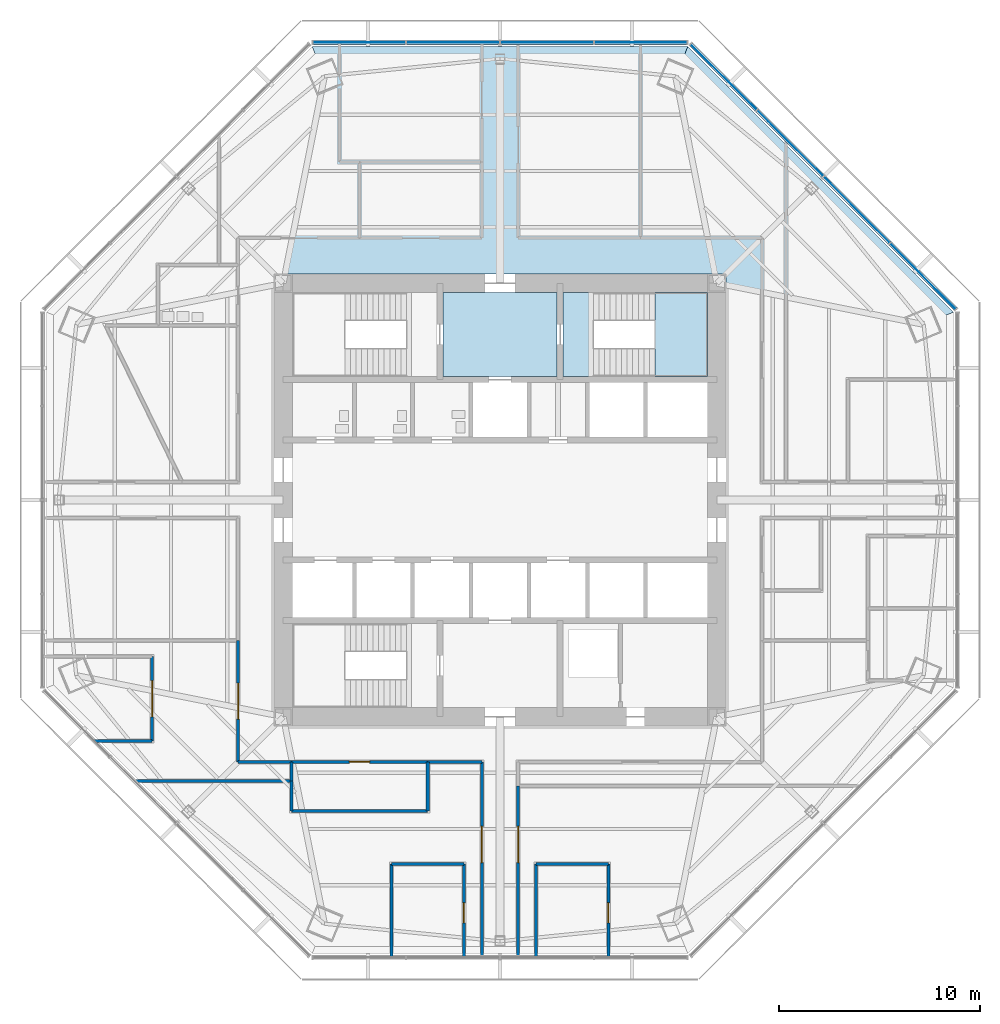
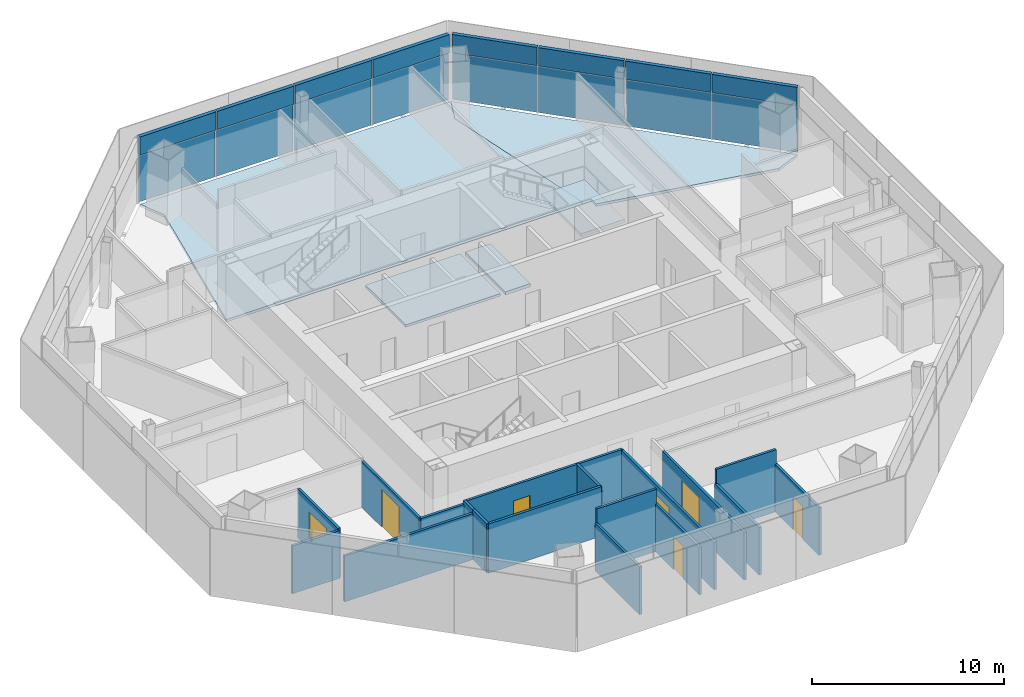
# One storey, part 8 of 15: 19 walls, 16 plates, 7 doors, 5 slabs, 7 openings, 3 elements without a shape of their own.
"""IFC4 building model written with IfcOpenShell, lengths in metres."""

from ifc_helpers import new_model, si_unit, direction, frame, frame_2d, origin, origin_2d, place, context, subcontext, project, spatial, polyline, rectangle, outline, extrude, source, transform, mapped, material, layer, layer_set, type_object, type_shapes, element, fill, aggregate, save


model = new_model("IFC4")

# Units and contexts
model_context = context("Model", 3, precision=1e-05, world=origin(), true_north=direction((0.0, 1.0)))
body_context = subcontext(model_context, "Body", "Model", "MODEL_VIEW")
ifc_project = project(units=[si_unit("LENGTHUNIT", "METRE"), si_unit("AREAUNIT", "SQUARE_METRE"), si_unit("VOLUMEUNIT", "CUBIC_METRE"), si_unit("PLANEANGLEUNIT", "RADIAN"), si_unit("MASSUNIT", "GRAM", prefix="KILO")], contexts=[model_context])

# Site, building, storey
site_placement = place(None, origin())
site = spatial("IfcSite", under=ifc_project, at=site_placement, CompositionType="ELEMENT")
building_placement = place(site_placement, origin())
building = spatial("IfcBuilding", under=site, at=building_placement, Name="Mashrafa Tower", CompositionType="ELEMENT")
storey_placement = place(building_placement, frame((0.0, 0.0, 184.800048828125)))
storey = spatial("IfcBuildingStorey", under=building, at=storey_placement, Name="L42", CompositionType="ELEMENT", Elevation=184.800048828125)

# Slabs
ifc_material_1 = material(Name="Concrete C35/45", Category="concrete")
ifc_layer_1 = layer(ifc_material_1, 0.1650390625)
ifc_layer_set_1 = layer_set([ifc_layer_1], Name="Floor slab 165")
slab_type_1 = type_object("IfcSlabType", Name="Floor slab 165", PredefinedType="FLOOR", material=ifc_layer_set_1)
slab_1_placement = place(storey_placement, frame((0.0, 0.0, -0.1650390625)))
element("IfcSlab", 1, at=slab_1_placement, inside=storey, type_object=slab_type_1, Name="Floor slab L42 north-east bay", PredefinedType="FLOOR", context=body_context, shape_type="SweptSolid", body=[
    extrude(outline(polyline([(22.5869140625, 9.35595703125), (21.11328125, 8.74560546875), (11.25, 10.71044921875), (11.25, 11.25), (10.71044921875, 11.25), (8.74560546875, 21.11328125), (9.35595703125, 22.5869140625), (22.5869140625, 9.35595703125)])), origin(), (0.0, 0.0, 1.0), 0.1650390625),
])
slab_2_placement = place(storey_placement, frame((0.0, 0.0, -0.1650390625)))
element("IfcSlab", 2, at=slab_2_placement, inside=storey, type_object=slab_type_1, Name="Floor slab L42 north bay", PredefinedType="FLOOR", context=body_context, shape_type="SweptSolid", body=[
    extrude(outline(polyline([(-9.35595703125, 22.5869140625), (9.35595703125, 22.5869140625), (9.35595703125, 22.5869140625), (8.74560546875, 21.11328125), (10.71044921875, 11.25), (-10.71044921875, 11.25), (-8.74560546875, 21.11328125), (-9.35595703125, 22.5869140625), (-9.35595703125, 22.5869140625)])), origin(), (0.0, 0.0, 1.0), 0.1650390625),
])
slab_3_placement = place(storey_placement, frame((0.0, 0.0, -0.1650390625)))
element("IfcSlab", 3, at=slab_3_placement, inside=storey, type_object=slab_type_1, Name="Core floor fire-fighting lobby north L42", PredefinedType="FLOOR", context=body_context, shape_type="SweptSolid", body=[
    extrude(outline(polyline([(-2.85009765625, 10.35009765625), (2.85009765625, 10.35009765625), (2.85009765625, 6.14990234375), (-2.85009765625, 6.14990234375), (-2.85009765625, 10.35009765625)])), origin(), (0.0, 0.0, 1.0), 0.1650390625),
])

# Stair, slabs
ifc_material_2 = material(Name="Exit stair 1400")
stair_type = type_object("IfcStairType", Name="Exit stair 1400", PredefinedType="HALF_TURN_STAIR", material=ifc_material_2)
stair_placement = place(storey_placement, origin())
stair = element("IfcStair", 4, at=stair_placement, inside=storey, type_object=stair_type, Name="Stair S2 L42", PredefinedType="HALF_TURN_STAIR")
ifc_material_3 = material(Name="Concrete C32/40", Category="concrete")
ifc_layer_2 = layer(ifc_material_3, 0.199951171875)
ifc_layer_set_2 = layer_set([ifc_layer_2], Name="Stair landing 200")
slab_type_2 = type_object("IfcSlabType", Name="Stair landing 200", PredefinedType="LANDING", material=ifc_layer_set_2)
slab_4_placement = place(storey_placement, frame((0.0, 0.0, -0.199951171875)))
slab_4 = element("IfcSlab", 5, at=slab_4_placement, type_object=slab_type_2, Name="S2 landing 1", PredefinedType="LANDING", context=body_context, shape_type="SweptSolid", body=[
    extrude(outline(polyline([(3.14990234375, 6.14990234375), (4.659912109375, 6.14990234375), (4.659912109375, 10.35009765625), (3.14990234375, 10.35009765625), (3.14990234375, 6.14990234375)])), origin(), (0.0, 0.0, 1.0), 0.199951171875),
])
slab_5_placement = place(storey_placement, frame((0.0, 0.0, 1.89990234375)))
slab_5 = element("IfcSlab", 6, at=slab_5_placement, type_object=slab_type_2, Name="S2 landing 2", PredefinedType="LANDING", context=body_context, shape_type="SweptSolid", body=[
    extrude(outline(polyline([(7.719970703125, 6.14990234375), (10.35009765625, 6.14990234375), (10.35009765625, 10.35009765625), (7.719970703125, 10.35009765625), (7.719970703125, 6.14990234375)])), origin(), (0.0, 0.0, 1.0), 0.199951171875),
])
aggregate(stair, [slab_4, slab_5])

# Curtain wall, plates
ifc_material_4 = material(Name="Unitised aluminium curtain wall", Category="aluminium")
curtain_wall_type = type_object("IfcCurtainWallType", Name="Office curtain wall, zone 2 CW-B 225 deep", PredefinedType="NOTDEFINED", material=ifc_material_4)
curtain_wall_1_placement = place(storey_placement, origin())
curtain_wall_1 = element("IfcCurtainWall", 7, at=curtain_wall_1_placement, inside=storey, type_object=curtain_wall_type, Name="Office curtain wall, zone 2 L42 north-east", PredefinedType="NOTDEFINED")
ifc_material_5 = material(Name="Insulated double glazing, low-e, neutral", Category="glass")
ifc_layer_3 = layer(ifc_material_5, 0.028076171875)
ifc_layer_set_3 = layer_set([ifc_layer_3], Name="Vision panel CW-B 28")
plate_type_1 = type_object("IfcPlateType", Name="Vision panel CW-B 28", PredefinedType="CURTAIN_PANEL", material=ifc_layer_set_3)
shared_shape_1 = source(origin(), body_context, "Body", "SweptSolid", [
    extrude(rectangle(XDim=4.593505859375, YDim=0.028076171875, at=origin_2d()), origin(), (0.0, 0.0, 1.0), 2.9599609375),
])
plate_1_placement = place(storey_placement, frame((21.076904296875, 11.148681640625, 0.0), z_axis=(0.0, 0.0, 1.0), x_axis=(-0.707106781187, 0.707106781187, 0.0)))
plate_1 = element("IfcPlate", 8, at=plate_1_placement, type_object=plate_type_1, Name="CW-B vision panel 1", PredefinedType="CURTAIN_PANEL", context=body_context, shape_type="MappedRepresentation", body=[
    mapped(shared_shape_1, transform((0.0, 0.0, 0.0))),
])
plate_2_placement = place(storey_placement, frame((11.148681640625, 21.076904296875, 0.0), z_axis=(0.0, 0.0, 1.0), x_axis=(-0.707106781187, 0.707106781187, 0.0)))
plate_2 = element("IfcPlate", 9, at=plate_2_placement, type_object=plate_type_1, Name="CW-B vision panel 4", PredefinedType="CURTAIN_PANEL", context=body_context, shape_type="MappedRepresentation", body=[
    mapped(shared_shape_1, transform((0.0, 0.0, 0.0))),
])

curtain_wall_2_placement = place(storey_placement, origin())
curtain_wall_2 = element("IfcCurtainWall", 10, at=curtain_wall_2_placement, inside=storey, type_object=curtain_wall_type, Name="Office curtain wall, zone 2 L42 north", PredefinedType="NOTDEFINED")
plate_3_placement = place(storey_placement, frame((7.020263671875, 22.786865234375, 0.0), z_axis=(0.0, 0.0, 1.0), x_axis=(-1.0, 0.0, 0.0)))
plate_3 = element("IfcPlate", 11, at=plate_3_placement, type_object=plate_type_1, Name="CW-B vision panel 1", PredefinedType="CURTAIN_PANEL", context=body_context, shape_type="MappedRepresentation", body=[
    mapped(shared_shape_1, transform((0.0, 0.0, 0.0))),
])
plate_4_placement = place(storey_placement, frame((-7.020263671875, 22.786865234375, 0.0), z_axis=(0.0, 0.0, 1.0), x_axis=(-1.0, 0.0, 0.0)))
plate_4 = element("IfcPlate", 12, at=plate_4_placement, type_object=plate_type_1, Name="CW-B vision panel 4", PredefinedType="CURTAIN_PANEL", context=body_context, shape_type="MappedRepresentation", body=[
    mapped(shared_shape_1, transform((0.0, 0.0, 0.0))),
])

# Plate
ifc_material_6 = material(Name="Insulated aluminium spandrel panel", Category="aluminium")
ifc_layer_4 = layer(ifc_material_6, 0.219970703125)
ifc_layer_set_4 = layer_set([ifc_layer_4], Name="Spandrel panel CW-B 220")
plate_type_2 = type_object("IfcPlateType", Name="Spandrel panel CW-B 220", PredefinedType="CURTAIN_PANEL", material=ifc_layer_set_4)
shared_shape_2 = source(origin(), body_context, "Body", "SweptSolid", [
    extrude(rectangle(XDim=4.593505859375, YDim=0.219970703125, at=origin_2d()), origin(), (0.0, 0.0, 1.0), 1.159912109375),
])
plate_5_placement = place(storey_placement, frame((21.076904296875, 11.148681640625, 3.0400390625), z_axis=(0.0, 0.0, 1.0), x_axis=(-0.707106781187, 0.707106781187, 0.0)))
plate_5 = element("IfcPlate", 13, at=plate_5_placement, type_object=plate_type_2, Name="CW-B spandrel panel 1", PredefinedType="CURTAIN_PANEL", context=body_context, shape_type="MappedRepresentation", body=[
    mapped(shared_shape_2, transform((0.0, 0.0, 0.0))),
])

plate_6_placement = place(storey_placement, frame((11.148681640625, 21.076904296875, 3.0400390625), z_axis=(0.0, 0.0, 1.0), x_axis=(-0.707106781187, 0.707106781187, 0.0)))
plate_6 = element("IfcPlate", 14, at=plate_6_placement, type_object=plate_type_2, Name="CW-B spandrel panel 4", PredefinedType="CURTAIN_PANEL", context=body_context, shape_type="MappedRepresentation", body=[
    mapped(shared_shape_2, transform((0.0, 0.0, 0.0))),
])

plate_7_placement = place(storey_placement, frame((7.020263671875, 22.786865234375, 3.0400390625), z_axis=(0.0, 0.0, 1.0), x_axis=(-1.0, 0.0, 0.0)))
plate_7 = element("IfcPlate", 15, at=plate_7_placement, type_object=plate_type_2, Name="CW-B spandrel panel 1", PredefinedType="CURTAIN_PANEL", context=body_context, shape_type="MappedRepresentation", body=[
    mapped(shared_shape_2, transform((0.0, 0.0, 0.0))),
])

plate_8_placement = place(storey_placement, frame((-7.020263671875, 22.786865234375, 3.0400390625), z_axis=(0.0, 0.0, 1.0), x_axis=(-1.0, 0.0, 0.0)))
plate_8 = element("IfcPlate", 16, at=plate_8_placement, type_object=plate_type_2, Name="CW-B spandrel panel 4", PredefinedType="CURTAIN_PANEL", context=body_context, shape_type="MappedRepresentation", body=[
    mapped(shared_shape_2, transform((0.0, 0.0, 0.0))),
])

shared_shape_3 = source(origin(), body_context, "Body", "SweptSolid", [
    extrude(rectangle(XDim=4.6259765625, YDim=0.028076171875, at=origin_2d()), origin(), (0.0, 0.0, 1.0), 2.9599609375),
])
type_shapes(plate_type_1, [shared_shape_1, shared_shape_3])
plate_9_placement = place(storey_placement, frame((17.771484375, 14.454345703125, 0.0), z_axis=(0.0, 0.0, 1.0), x_axis=(-0.707106781187, 0.707106781187, 0.0)))
plate_9 = element("IfcPlate", 17, at=plate_9_placement, type_object=plate_type_1, Name="CW-B vision panel 2", PredefinedType="CURTAIN_PANEL", context=body_context, shape_type="MappedRepresentation", body=[
    mapped(shared_shape_3, transform((0.0, 0.0, 0.0))),
])

plate_10_placement = place(storey_placement, frame((14.454345703125, 17.771484375, 0.0), z_axis=(0.0, 0.0, 1.0), x_axis=(-0.707106781187, 0.707106781187, 0.0)))
plate_10 = element("IfcPlate", 18, at=plate_10_placement, type_object=plate_type_1, Name="CW-B vision panel 3", PredefinedType="CURTAIN_PANEL", context=body_context, shape_type="MappedRepresentation", body=[
    mapped(shared_shape_3, transform((0.0, 0.0, 0.0))),
])

plate_11_placement = place(storey_placement, frame((2.345458984375, 22.786865234375, 0.0), z_axis=(0.0, 0.0, 1.0), x_axis=(-1.0, 0.0, 0.0)))
plate_11 = element("IfcPlate", 19, at=plate_11_placement, type_object=plate_type_1, Name="CW-B vision panel 2", PredefinedType="CURTAIN_PANEL", context=body_context, shape_type="MappedRepresentation", body=[
    mapped(shared_shape_3, transform((0.0, 0.0, 0.0))),
])

plate_12_placement = place(storey_placement, frame((-2.345458984375, 22.786865234375, 0.0), z_axis=(0.0, 0.0, 1.0), x_axis=(-1.0, 0.0, 0.0)))
plate_12 = element("IfcPlate", 20, at=plate_12_placement, type_object=plate_type_1, Name="CW-B vision panel 3", PredefinedType="CURTAIN_PANEL", context=body_context, shape_type="MappedRepresentation", body=[
    mapped(shared_shape_3, transform((0.0, 0.0, 0.0))),
])

shared_shape_4 = source(origin(), body_context, "Body", "SweptSolid", [
    extrude(rectangle(XDim=4.6259765625, YDim=0.219970703125, at=origin_2d()), origin(), (0.0, 0.0, 1.0), 1.159912109375),
])
type_shapes(plate_type_2, [shared_shape_2, shared_shape_4])
plate_13_placement = place(storey_placement, frame((17.771484375, 14.454345703125, 3.0400390625), z_axis=(0.0, 0.0, 1.0), x_axis=(-0.707106781187, 0.707106781187, 0.0)))
plate_13 = element("IfcPlate", 21, at=plate_13_placement, type_object=plate_type_2, Name="CW-B spandrel panel 2", PredefinedType="CURTAIN_PANEL", context=body_context, shape_type="MappedRepresentation", body=[
    mapped(shared_shape_4, transform((0.0, 0.0, 0.0))),
])

plate_14_placement = place(storey_placement, frame((14.454345703125, 17.771484375, 3.0400390625), z_axis=(0.0, 0.0, 1.0), x_axis=(-0.707106781187, 0.707106781187, 0.0)))
plate_14 = element("IfcPlate", 22, at=plate_14_placement, type_object=plate_type_2, Name="CW-B spandrel panel 3", PredefinedType="CURTAIN_PANEL", context=body_context, shape_type="MappedRepresentation", body=[
    mapped(shared_shape_4, transform((0.0, 0.0, 0.0))),
])

aggregate(curtain_wall_1, [plate_1, plate_5, plate_9, plate_13, plate_10, plate_14, plate_2, plate_6])

plate_15_placement = place(storey_placement, frame((2.345458984375, 22.786865234375, 3.0400390625), z_axis=(0.0, 0.0, 1.0), x_axis=(-1.0, 0.0, 0.0)))
plate_15 = element("IfcPlate", 23, at=plate_15_placement, type_object=plate_type_2, Name="CW-B spandrel panel 2", PredefinedType="CURTAIN_PANEL", context=body_context, shape_type="MappedRepresentation", body=[
    mapped(shared_shape_4, transform((0.0, 0.0, 0.0))),
])

plate_16_placement = place(storey_placement, frame((-2.345458984375, 22.786865234375, 3.0400390625), z_axis=(0.0, 0.0, 1.0), x_axis=(-1.0, 0.0, 0.0)))
plate_16 = element("IfcPlate", 24, at=plate_16_placement, type_object=plate_type_2, Name="CW-B spandrel panel 3", PredefinedType="CURTAIN_PANEL", context=body_context, shape_type="MappedRepresentation", body=[
    mapped(shared_shape_4, transform((0.0, 0.0, 0.0))),
])

aggregate(curtain_wall_2, [plate_3, plate_7, plate_11, plate_15, plate_12, plate_16, plate_4, plate_8])

# Wall, opening, door
ifc_material_7 = material(Name="Gypsum board on steel studs", Category="steel")
ifc_layer_5 = layer(ifc_material_7, 0.14990234375)
ifc_layer_set_5 = layer_set([ifc_layer_5], Name="Corridor partition 150 1 hr")
wall_type_1 = type_object("IfcWallType", Name="Corridor partition 150 1 hr", PredefinedType="PARTITIONING", material=ifc_layer_set_5)
wall_1_placement = place(storey_placement, frame((-10.40087890625, -13.050048828125, 0.0), z_axis=(0.0, 0.0, 1.0), x_axis=(1.0, 0.0, 0.0)))
wall_1 = element("IfcWall", 25, at=wall_1_placement, inside=storey, type_object=wall_type_1, Name="Corridor wall L42-006", PredefinedType="PARTITIONING", context=body_context, shape_type="SweptSolid", body=[
    extrude(rectangle(XDim=6.8017578125, YDim=0.14990234375, at=frame_2d((3.40087890625, 0.0))), origin(), (0.0, 0.0, 1.0), 3.09423828125),
])
opening_1_placement = place(wall_1_placement, frame((2.90087890625, 0.0, 0.0)))
opening_1 = element("IfcOpeningElement", 26, at=opening_1_placement, cuts=wall_1, Name="Opening 42.006", PredefinedType="OPENING", context=body_context, shape_type="SweptSolid", body=[
    extrude(rectangle(XDim=1.0, YDim=2.10009765625, at=frame_2d((0.5, 1.050048828125))), frame((0.0, 0.0849609375, 0.0), z_axis=(0.0, -1.0, 0.0), x_axis=(1.0, 0.0, 0.0)), (0.0, 0.0, 1.0), 0.169921875),
])
ifc_material_8 = material(Name="Timber door", Category="wood")
door_type_1 = type_object("IfcDoorType", Name="Door 1000 x 2100", OperationType="USERDEFINED", PredefinedType="DOOR", material=ifc_material_8)
door_1_placement = place(opening_1_placement, frame((1.0, 0.0, 0.0), z_axis=(0.0, 0.0, 1.0), x_axis=(-1.0, 0.0, 0.0)))
door_1 = element("IfcDoor", 27, at=door_1_placement, inside=storey, type_object=door_type_1, Name="Executive Pantry 42 door", OperationType="SINGLE_SWING_LEFT", OverallHeight=2.10009765625, OverallWidth=1.0, PredefinedType="DOOR", context=body_context, shape_type="SweptSolid", body=[
    extrude(rectangle(XDim=1.0, YDim=2.10009765625, at=frame_2d((0.5, 1.050048828125))), frame((0.0, 0.02490234375, 0.0), z_axis=(0.0, -1.0, 0.0), x_axis=(1.0, 0.0, 0.0)), (0.0, 0.0, 1.0), 0.050048828125),
])
fill(opening_1, door_1)

# Wall
wall_2_placement = place(storey_placement, frame((-3.60107421875, -13.050048828125, 0.0), z_axis=(0.0, 0.0, 1.0), x_axis=(1.0, 0.0, 0.0)))
element("IfcWall", 28, at=wall_2_placement, inside=storey, type_object=wall_type_1, Name="Corridor wall L42-020", PredefinedType="PARTITIONING", context=body_context, shape_type="SweptSolid", body=[
    extrude(rectangle(XDim=2.701171875, YDim=0.14990234375, at=frame_2d((1.3505859375, 0.0))), origin(), (0.0, 0.0, 1.0), 3.09423828125),
])

# Wall, opening, door
wall_3_placement = place(storey_placement, frame((-0.89990234375, -13.050048828125, 0.0), z_axis=(0.0, 0.0, 1.0), x_axis=(0.0, -1.0, 0.0)))
wall_3 = element("IfcWall", 29, at=wall_3_placement, inside=storey, type_object=wall_type_1, Name="Corridor wall L42-021", PredefinedType="PARTITIONING", context=body_context, shape_type="SweptSolid", body=[
    extrude(rectangle(XDim=9.720947265625, YDim=0.14990234375, at=frame_2d((4.8603515625, 0.0))), origin(), (0.0, 0.0, 1.0), 3.0400390625),
])
opening_2_placement = place(wall_3_placement, frame((3.21337890625, 0.0, 0.0)))
opening_2 = element("IfcOpeningElement", 30, at=opening_2_placement, cuts=wall_3, Name="Opening 42.018", PredefinedType="OPENING", context=body_context, shape_type="SweptSolid", body=[
    extrude(rectangle(XDim=1.800048828125, YDim=2.39990234375, at=frame_2d((0.89990234375, 1.199951171875))), frame((0.0, 0.0849609375, 0.0), z_axis=(0.0, -1.0, 0.0), x_axis=(1.0, 0.0, 0.0)), (0.0, 0.0, 1.0), 0.169921875),
])
ifc_material_9 = material(Name="Timber door", Category="wood")
door_type_2 = type_object("IfcDoorType", Name="Door pair 1800 x 2400", OperationType="DOUBLE_DOOR_SINGLE_SWING", PredefinedType="DOOR", material=ifc_material_9)
door_2_placement = place(opening_2_placement, frame((1.800048828125, 0.0, 0.0), z_axis=(0.0, 0.0, 1.0), x_axis=(-1.0, 0.0, 0.0)))
door_2 = element("IfcDoor", 31, at=door_2_placement, inside=storey, type_object=door_type_2, Name="Board Secretariat Office 42-SW3 door", OperationType="DOUBLE_DOOR_SINGLE_SWING", OverallHeight=2.39990234375, OverallWidth=1.800048828125, PredefinedType="DOOR", context=body_context, shape_type="SweptSolid", body=[
    extrude(rectangle(XDim=1.800048828125, YDim=2.39990234375, at=frame_2d((0.89990234375, 1.199951171875))), frame((0.0, 0.02490234375, 0.0), z_axis=(0.0, -1.0, 0.0), x_axis=(1.0, 0.0, 0.0)), (0.0, 0.0, 1.0), 0.050048828125),
])
fill(opening_2, door_2)

wall_4_placement = place(storey_placement, frame((-13.050048828125, -6.9990234375, 0.0), z_axis=(0.0, 0.0, 1.0), x_axis=(0.0, -1.0, 0.0)))
wall_4 = element("IfcWall", 32, at=wall_4_placement, inside=storey, type_object=wall_type_1, Name="Corridor wall L42-022", PredefinedType="PARTITIONING", context=body_context, shape_type="SweptSolid", body=[
    extrude(rectangle(XDim=6.051025390625, YDim=0.14990234375, at=frame_2d((3.025390625, 0.0))), origin(), (0.0, 0.0, 1.0), 2.928955078125),
])
opening_3_placement = place(wall_4_placement, frame((2.12548828125, 0.0, 0.0)))
opening_3 = element("IfcOpeningElement", 33, at=opening_3_placement, cuts=wall_4, Name="Opening 42.019", PredefinedType="OPENING", context=body_context, shape_type="SweptSolid", body=[
    extrude(rectangle(XDim=1.800048828125, YDim=2.39990234375, at=frame_2d((0.89990234375, 1.199951171875))), frame((0.0, 0.0849609375, 0.0), z_axis=(0.0, -1.0, 0.0), x_axis=(1.0, 0.0, 0.0)), (0.0, 0.0, 1.0), 0.169921875),
])
door_3_placement = place(opening_3_placement, frame((1.800048828125, 0.0, 0.0), z_axis=(0.0, 0.0, 1.0), x_axis=(-1.0, 0.0, 0.0)))
door_3 = element("IfcDoor", 34, at=door_3_placement, inside=storey, type_object=door_type_2, Name="Corporate Affairs Office 42-SW2 door", OperationType="DOUBLE_DOOR_SINGLE_SWING", OverallHeight=2.39990234375, OverallWidth=1.800048828125, PredefinedType="DOOR", context=body_context, shape_type="SweptSolid", body=[
    extrude(rectangle(XDim=1.800048828125, YDim=2.39990234375, at=frame_2d((0.89990234375, 1.199951171875))), frame((0.0, 0.02490234375, 0.0), z_axis=(0.0, -1.0, 0.0), x_axis=(1.0, 0.0, 0.0)), (0.0, 0.0, 1.0), 0.050048828125),
])
fill(opening_3, door_3)

# Wall
wall_5_placement = place(storey_placement, frame((-13.050048828125, -13.050048828125, 0.0), z_axis=(0.0, 0.0, 1.0), x_axis=(1.0, 0.0, 0.0)))
element("IfcWall", 35, at=wall_5_placement, inside=storey, type_object=wall_type_1, Name="Corridor wall L42-023", PredefinedType="PARTITIONING", context=body_context, shape_type="SweptSolid", body=[
    extrude(rectangle(XDim=2.651123046875, YDim=0.14990234375, at=frame_2d((1.32568359375, 0.0))), origin(), (0.0, 0.0, 1.0), 2.928955078125),
])

# Wall, opening, door
wall_6_placement = place(storey_placement, frame((0.89990234375, -22.77099609375, 0.0), z_axis=(0.0, 0.0, 1.0), x_axis=(0.0, 1.0, 0.0)))
wall_6 = element("IfcWall", 36, at=wall_6_placement, inside=storey, type_object=wall_type_1, Name="Corridor wall L42-026", PredefinedType="PARTITIONING", context=body_context, shape_type="SweptSolid", body=[
    extrude(rectangle(XDim=8.52197265625, YDim=0.14990234375, at=frame_2d((4.260986328125, 0.0))), origin(), (0.0, 0.0, 1.0), 3.0400390625),
])
opening_4_placement = place(wall_6_placement, frame((4.702880859375, 0.0, 0.0)))
opening_4 = element("IfcOpeningElement", 37, at=opening_4_placement, cuts=wall_6, Name="Opening 42.021", PredefinedType="OPENING", context=body_context, shape_type="SweptSolid", body=[
    extrude(rectangle(XDim=1.800048828125, YDim=2.39990234375, at=frame_2d((0.89990234375, 1.199951171875))), frame((0.0, 0.0849609375, 0.0), z_axis=(0.0, -1.0, 0.0), x_axis=(1.0, 0.0, 0.0)), (0.0, 0.0, 1.0), 0.169921875),
])
door_4_placement = place(opening_4_placement, frame((1.800048828125, 0.0, 0.0), z_axis=(0.0, 0.0, 1.0), x_axis=(-1.0, 0.0, 0.0)))
door_4 = element("IfcDoor", 38, at=door_4_placement, inside=storey, type_object=door_type_2, Name="Board Secretariat Office 42-SE3 door", OperationType="DOUBLE_DOOR_SINGLE_SWING", OverallHeight=2.39990234375, OverallWidth=1.800048828125, PredefinedType="DOOR", context=body_context, shape_type="SweptSolid", body=[
    extrude(rectangle(XDim=1.800048828125, YDim=2.39990234375, at=frame_2d((0.89990234375, 1.199951171875))), frame((0.0, 0.02490234375, 0.0), z_axis=(0.0, -1.0, 0.0), x_axis=(1.0, 0.0, 0.0)), (0.0, 0.0, 1.0), 0.050048828125),
])
fill(opening_4, door_4)

# Wall
ifc_material_10 = material(Name="Gypsum board on steel studs", Category="steel")
ifc_layer_6 = layer(ifc_material_10, 0.14990234375)
ifc_layer_set_6 = layer_set([ifc_layer_6], Name="Partition 150")
wall_type_2 = type_object("IfcWallType", Name="Partition 150", PredefinedType="PARTITIONING", material=ifc_layer_set_6)
wall_7_placement = place(storey_placement, frame((-20.201904296875, -12.0, 0.0), z_axis=(0.0, 0.0, 1.0), x_axis=(1.0, 0.0, 0.0)))
element("IfcWall", 39, at=wall_7_placement, inside=storey, type_object=wall_type_2, Name="Partition wall L42-044", PredefinedType="PARTITIONING", context=body_context, shape_type="SweptSolid", body=[
    extrude(rectangle(XDim=2.864990234375, YDim=0.14990234375, at=frame_2d((1.4326171875, 0.0))), origin(), (0.0, 0.0, 1.0), 3.0400390625),
])

# Wall, opening, door
wall_8_placement = place(storey_placement, frame((-17.3369140625, -12.0, 0.0), z_axis=(0.0, 0.0, 1.0), x_axis=(0.0, 1.0, 0.0)))
wall_8 = element("IfcWall", 40, at=wall_8_placement, inside=storey, type_object=wall_type_2, Name="Partition wall L42-045", PredefinedType="PARTITIONING", context=body_context, shape_type="SweptSolid", body=[
    extrude(rectangle(XDim=4.199951171875, YDim=0.14990234375, at=frame_2d((2.10009765625, 0.0))), origin(), (0.0, 0.0, 1.0), 3.139892578125),
])
opening_5_placement = place(wall_8_placement, frame((1.199951171875, 0.0, 0.0)))
opening_5 = element("IfcOpeningElement", 41, at=opening_5_placement, cuts=wall_8, Name="Opening 42.005", PredefinedType="OPENING", context=body_context, shape_type="SweptSolid", body=[
    extrude(rectangle(XDim=1.800048828125, YDim=2.39990234375, at=frame_2d((0.89990234375, 1.199951171875))), frame((0.0, 0.0849609375, 0.0), z_axis=(0.0, -1.0, 0.0), x_axis=(1.0, 0.0, 0.0)), (0.0, 0.0, 1.0), 0.169921875),
])
door_5_placement = place(opening_5_placement, origin())
door_5 = element("IfcDoor", 42, at=door_5_placement, inside=storey, type_object=door_type_2, Name="Executive Dining Room 42-SW2 door", OperationType="DOUBLE_DOOR_SINGLE_SWING", OverallHeight=2.39990234375, OverallWidth=1.800048828125, PredefinedType="DOOR", context=body_context, shape_type="SweptSolid", body=[
    extrude(rectangle(XDim=1.800048828125, YDim=2.39990234375, at=frame_2d((0.89990234375, 1.199951171875))), frame((0.0, 0.02490234375, 0.0), z_axis=(0.0, -1.0, 0.0), x_axis=(1.0, 0.0, 0.0)), (0.0, 0.0, 1.0), 0.050048828125),
])
fill(opening_5, door_5)

# Walls
wall_9_placement = place(storey_placement, frame((-10.39990234375, -13.9990234375, 0.0), z_axis=(0.0, 0.0, 1.0), x_axis=(0.0, -1.0, 0.0)))
element("IfcWall", 43, at=wall_9_placement, inside=storey, type_object=wall_type_2, Name="Partition wall L42-048", PredefinedType="PARTITIONING", context=body_context, shape_type="SweptSolid", body=[
    extrude(rectangle(XDim=1.5009765625, YDim=0.14990234375, at=frame_2d((0.75048828125, 0.0))), origin(), (0.0, 0.0, 1.0), 3.139892578125),
])
wall_10_placement = place(storey_placement, frame((-10.39990234375, -15.5, 0.0), z_axis=(0.0, 0.0, 1.0), x_axis=(1.0, 0.0, 0.0)))
element("IfcWall", 44, at=wall_10_placement, inside=storey, type_object=wall_type_2, Name="Partition wall L42-049", PredefinedType="PARTITIONING", context=body_context, shape_type="SweptSolid", body=[
    extrude(rectangle(XDim=6.7998046875, YDim=0.14990234375, at=frame_2d((3.39990234375, 0.0))), origin(), (0.0, 0.0, 1.0), 3.139892578125),
])
wall_11_placement = place(storey_placement, frame((-3.60009765625, -15.5, 0.0), z_axis=(0.0, 0.0, 1.0), x_axis=(0.0, 1.0, 0.0)))
element("IfcWall", 45, at=wall_11_placement, inside=storey, type_object=wall_type_2, Name="Partition wall L42-050", PredefinedType="PARTITIONING", context=body_context, shape_type="SweptSolid", body=[
    extrude(rectangle(XDim=2.449951171875, YDim=0.14990234375, at=frame_2d((1.22509765625, 0.0))), origin(), (0.0, 0.0, 1.0), 3.09423828125),
])
wall_12_placement = place(storey_placement, frame((-10.39990234375, -13.050048828125, 0.0), z_axis=(0.0, 0.0, 1.0), x_axis=(0.0, -1.0, 0.0)))
element("IfcWall", 46, at=wall_12_placement, inside=storey, type_object=wall_type_2, Name="Partition wall L42-051", PredefinedType="PARTITIONING", context=body_context, shape_type="SweptSolid", body=[
    extrude(rectangle(XDim=0.950927734375, YDim=0.14990234375, at=frame_2d((0.4755859375, 0.0))), origin(), (0.0, 0.0, 1.0), 3.139892578125),
])

# Wall, opening, door
wall_13_placement = place(storey_placement, frame((-1.800048828125, -22.77099609375, 0.0), z_axis=(0.0, 0.0, 1.0), x_axis=(0.0, 1.0, 0.0)))
wall_13 = element("IfcWall", 47, at=wall_13_placement, inside=storey, type_object=wall_type_2, Name="Partition wall L42-061", PredefinedType="PARTITIONING", context=body_context, shape_type="SweptSolid", body=[
    extrude(rectangle(XDim=4.634033203125, YDim=0.14990234375, at=frame_2d((2.31689453125, 0.0))), origin(), (0.0, 0.0, 1.0), 3.0400390625),
])
opening_6_placement = place(wall_13_placement, frame((1.698974609375, 0.0, 0.0)))
opening_6 = element("IfcOpeningElement", 48, at=opening_6_placement, cuts=wall_13, Name="Opening 42.010", PredefinedType="OPENING", context=body_context, shape_type="SweptSolid", body=[
    extrude(rectangle(XDim=1.0, YDim=2.10009765625, at=frame_2d((0.5, 1.050048828125))), frame((0.0, 0.0849609375, 0.0), z_axis=(0.0, -1.0, 0.0), x_axis=(1.0, 0.0, 0.0)), (0.0, 0.0, 1.0), 0.169921875),
])
door_6_placement = place(opening_6_placement, origin())
door_6 = element("IfcDoor", 49, at=door_6_placement, inside=storey, type_object=door_type_1, Name="Executive Office 42-SW3 door", OperationType="SINGLE_SWING_LEFT", OverallHeight=2.10009765625, OverallWidth=1.0, PredefinedType="DOOR", context=body_context, shape_type="SweptSolid", body=[
    extrude(rectangle(XDim=1.0, YDim=2.10009765625, at=frame_2d((0.5, 1.050048828125))), frame((0.0, 0.02490234375, 0.0), z_axis=(0.0, -1.0, 0.0), x_axis=(1.0, 0.0, 0.0)), (0.0, 0.0, 1.0), 0.050048828125),
])
fill(opening_6, door_6)

# Walls
wall_14_placement = place(storey_placement, frame((-1.800048828125, -18.136962890625, 0.0), z_axis=(0.0, 0.0, 1.0), x_axis=(-1.0, 0.0, 0.0)))
element("IfcWall", 50, at=wall_14_placement, inside=storey, type_object=wall_type_2, Name="Partition wall L42-062", PredefinedType="PARTITIONING", context=body_context, shape_type="SweptSolid", body=[
    extrude(rectangle(XDim=3.599853515625, YDim=0.14990234375, at=frame_2d((1.7998046875, 0.0))), origin(), (0.0, 0.0, 1.0), 3.949951171875),
])
wall_15_placement = place(storey_placement, frame((-5.39990234375, -18.136962890625, 0.0), z_axis=(0.0, 0.0, 1.0), x_axis=(0.0, -1.0, 0.0)))
element("IfcWall", 51, at=wall_15_placement, inside=storey, type_object=wall_type_2, Name="Partition wall L42-063", PredefinedType="PARTITIONING", context=body_context, shape_type="SweptSolid", body=[
    extrude(rectangle(XDim=4.632080078125, YDim=0.14990234375, at=frame_2d((2.31591796875, 0.0))), origin(), (0.0, 0.0, 1.0), 3.0400390625),
])

# Wall, opening, door
wall_16_placement = place(storey_placement, frame((5.39990234375, -22.77099609375, 0.0), z_axis=(0.0, 0.0, 1.0), x_axis=(0.0, 1.0, 0.0)))
wall_16 = element("IfcWall", 52, at=wall_16_placement, inside=storey, type_object=wall_type_2, Name="Partition wall L42-064", PredefinedType="PARTITIONING", context=body_context, shape_type="SweptSolid", body=[
    extrude(rectangle(XDim=4.634033203125, YDim=0.14990234375, at=frame_2d((2.31689453125, 0.0))), origin(), (0.0, 0.0, 1.0), 3.0400390625),
])
opening_7_placement = place(wall_16_placement, frame((1.698974609375, 0.0, 0.0)))
opening_7 = element("IfcOpeningElement", 53, at=opening_7_placement, cuts=wall_16, Name="Opening 42.011", PredefinedType="OPENING", context=body_context, shape_type="SweptSolid", body=[
    extrude(rectangle(XDim=1.0, YDim=2.10009765625, at=frame_2d((0.5, 1.050048828125))), frame((0.0, 0.0849609375, 0.0), z_axis=(0.0, -1.0, 0.0), x_axis=(1.0, 0.0, 0.0)), (0.0, 0.0, 1.0), 0.169921875),
])
door_7_placement = place(opening_7_placement, origin())
door_7 = element("IfcDoor", 54, at=door_7_placement, inside=storey, type_object=door_type_1, Name="Executive Office 42-SE3 door", OperationType="SINGLE_SWING_LEFT", OverallHeight=2.10009765625, OverallWidth=1.0, PredefinedType="DOOR", context=body_context, shape_type="SweptSolid", body=[
    extrude(rectangle(XDim=1.0, YDim=2.10009765625, at=frame_2d((0.5, 1.050048828125))), frame((0.0, 0.02490234375, 0.0), z_axis=(0.0, -1.0, 0.0), x_axis=(1.0, 0.0, 0.0)), (0.0, 0.0, 1.0), 0.050048828125),
])
fill(opening_7, door_7)

# Walls
wall_17_placement = place(storey_placement, frame((5.39990234375, -18.136962890625, 0.0), z_axis=(0.0, 0.0, 1.0), x_axis=(-1.0, 0.0, 0.0)))
element("IfcWall", 55, at=wall_17_placement, inside=storey, type_object=wall_type_2, Name="Partition wall L42-065", PredefinedType="PARTITIONING", context=body_context, shape_type="SweptSolid", body=[
    extrude(rectangle(XDim=3.599853515625, YDim=0.14990234375, at=frame_2d((1.7998046875, 0.0))), origin(), (0.0, 0.0, 1.0), 3.949951171875),
])
wall_18_placement = place(storey_placement, frame((1.800048828125, -18.136962890625, 0.0), z_axis=(0.0, 0.0, 1.0), x_axis=(0.0, -1.0, 0.0)))
element("IfcWall", 56, at=wall_18_placement, inside=storey, type_object=wall_type_2, Name="Partition wall L42-066", PredefinedType="PARTITIONING", context=body_context, shape_type="SweptSolid", body=[
    extrude(rectangle(XDim=4.632080078125, YDim=0.14990234375, at=frame_2d((2.31591796875, 0.0))), origin(), (0.0, 0.0, 1.0), 3.0400390625),
])
wall_19_placement = place(storey_placement, frame((-10.39990234375, -14.0, 0.0), z_axis=(0.0, 0.0, 1.0), x_axis=(-1.0, 0.0, 0.0)))
element("IfcWall", 57, at=wall_19_placement, inside=storey, type_object=wall_type_2, Name="Partition wall L42-071", PredefinedType="PARTITIONING", context=body_context, shape_type="SweptSolid", body=[
    extrude(rectangle(XDim=7.802001953125, YDim=0.14990234375, at=frame_2d((3.90087890625, 0.0))), origin(), (0.0, 0.0, 1.0), 2.928955078125),
])

save(model, "model.ifc")
